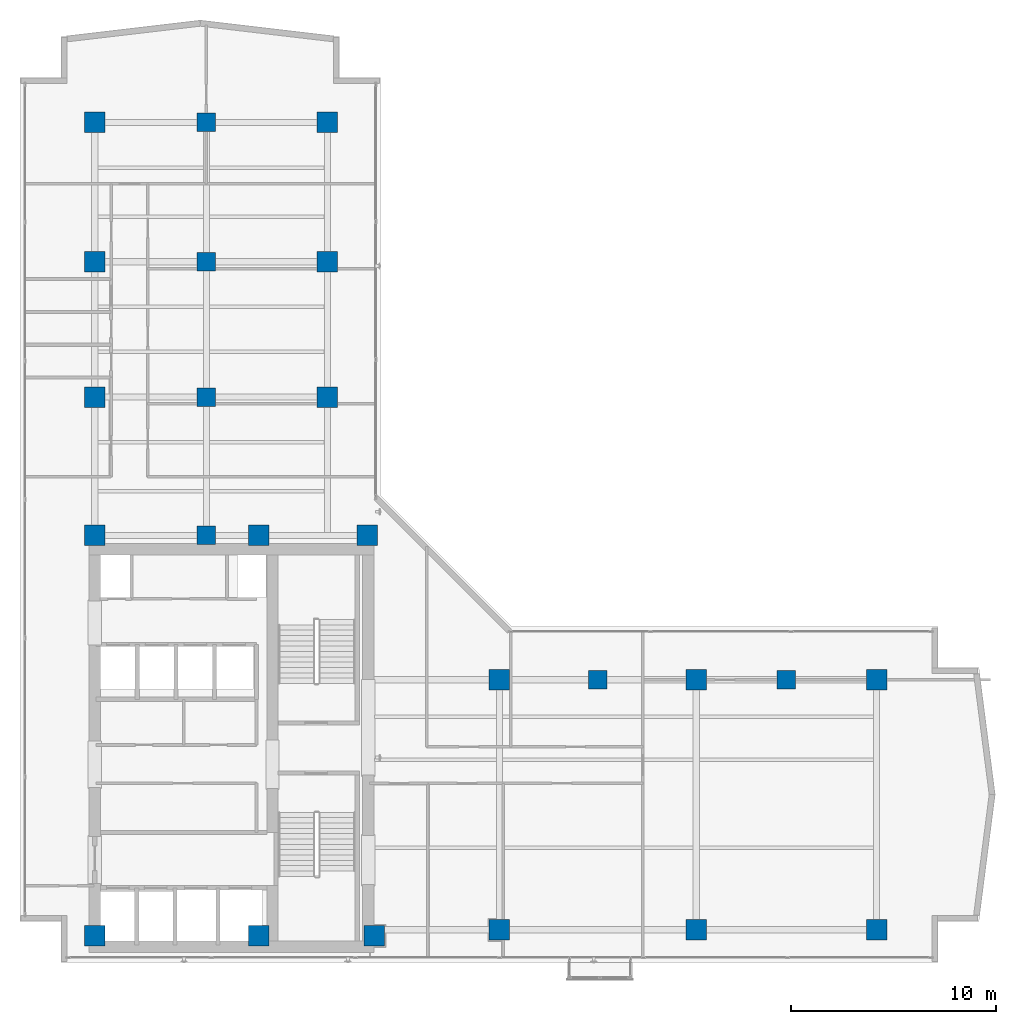
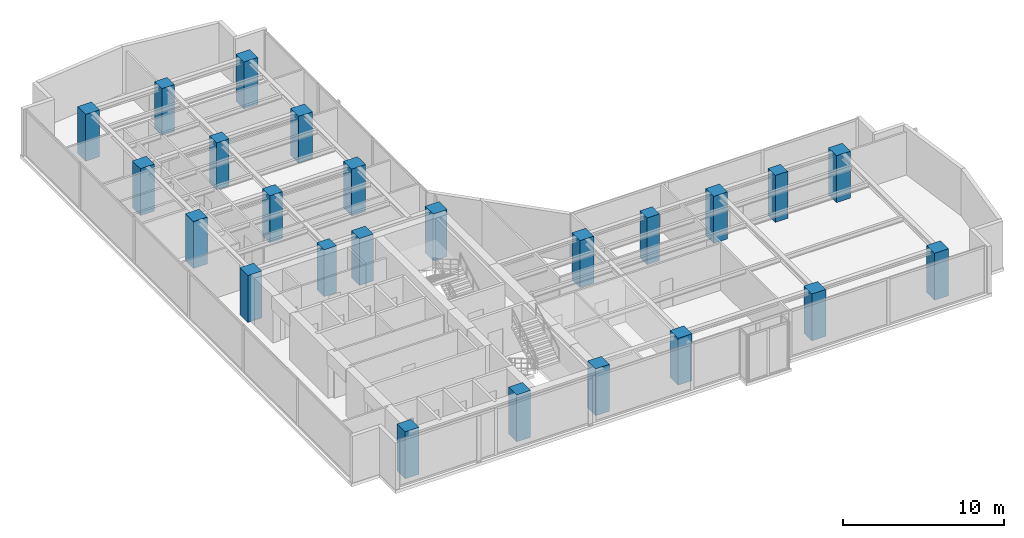
# One storey, part 1 of 23: 24 columns.
"""IFC4 building model written with IfcOpenShell, lengths in metres."""

from ifc_helpers import new_model, si_unit, direction, frame, origin, origin_2d, place, context, subcontext, project, spatial, rectangle, extrude, material, material_profile, profile_set, type_object, element, save


model = new_model("IFC4")

# Units and contexts
model_context = context("Model", 3, precision=1e-05, world=origin(), true_north=direction((0.0, 1.0)))
body_context = subcontext(model_context, "Body", "Model", "MODEL_VIEW")
ifc_project = project(units=[si_unit("LENGTHUNIT", "METRE"), si_unit("AREAUNIT", "SQUARE_METRE"), si_unit("VOLUMEUNIT", "CUBIC_METRE"), si_unit("PLANEANGLEUNIT", "RADIAN"), si_unit("MASSUNIT", "GRAM", prefix="KILO")], contexts=[model_context])

# Site, building, storey
site_placement = place(None, origin())
site = spatial("IfcSite", under=ifc_project, at=site_placement, CompositionType="ELEMENT")
building_placement = place(site_placement, origin())
building = spatial("IfcBuilding", under=site, at=building_placement, Name="Kolvaren Waterfront Exchange", CompositionType="ELEMENT")
storey_placement = place(building_placement, frame((0.0, 0.0, 234.89990234375)))
storey = spatial("IfcBuildingStorey", under=building, at=storey_placement, Name="L60", CompositionType="ELEMENT", Elevation=234.89990234375)

# Columns
ifc_material = material(Name="Concrete C50/60", Category="concrete")
ifc_material_profile_1 = material_profile(ifc_material, rectangle(XDim=1.0, YDim=1.0, at=origin_2d()), Name="RC-COL-1000x1000")
ifc_profile_set_1 = profile_set([ifc_material_profile_1], Name="Concrete C50/60")
column_type_1 = type_object("IfcColumnType", Name="STR-COL-1000-C50", PredefinedType="COLUMN", material=ifc_profile_set_1)
for number, where, z_axis, x_axis, name in (
    (1, (7.449951171875, 4.89990234375, 0.0), (0.0, 0.0, 1.0), (1.0, 0.0, 0.0), "L60 column MC01"),
    (2, (15.449951171875, 4.89990234375, 0.0), (0.0, 0.0, 1.0), (1.0, 0.0, 0.0), "L60 column MC02"),
    (3, (21.10009765625, 4.89990234375, 0.0), (0.0, 0.0, 1.0), (1.0, 0.0, 0.0), "L60 column MC03"),
    (4, (7.449951171875, 24.449951171875, 0.0), (0.0, 0.0, 1.0), (1.0, 0.0, 0.0), "L60 column MC04"),
    (5, (15.449951171875, 24.449951171875, 0.0), (0.0, 0.0, 1.0), (1.0, 0.0, 0.0), "L60 column MC05"),
    (6, (20.75, 24.449951171875, 0.0), (0.0, 0.0, 1.0), (1.0, 0.0, 0.0), "L60 column MC06"),
    (7, (7.449951171875, 31.199951171875, 0.0), (0.0, 0.0, 1.0), (1.0, 0.0, 0.0), "L60 column NC01"),
    (8, (7.449951171875, 37.800048828125, 0.0), (0.0, 0.0, 1.0), (1.0, 0.0, 0.0), "L60 column NC02"),
    (9, (7.449951171875, 44.60009765625, 0.0), (0.0, 0.0, 1.0), (1.0, 0.0, 0.0), "L60 column NC03"),
    (10, (18.800048828125, 31.199951171875, 0.0), (0.0, 0.0, 1.0), (1.0, 0.0, 0.0), "L60 column NC04"),
    (11, (18.800048828125, 37.800048828125, 0.0), (0.0, 0.0, 1.0), (1.0, 0.0, 0.0), "L60 column NC05"),
    (12, (18.800048828125, 44.60009765625, 0.0), (0.0, 0.0, 1.0), (1.0, 0.0, 0.0), "L60 column NC06"),
    (13, (27.199951171875, 5.199951171875, 0.0), (0.0, 0.0, 1.0), (1.0, 0.0, 0.0), "L60 column EC01"),
    (14, (36.800048828125, 5.199951171875, 0.0), (0.0, 0.0, 1.0), (1.0, 0.0, 0.0), "L60 column EC02"),
    (15, (45.60009765625, 5.199951171875, 0.0), (0.0, 0.0, 1.0), (1.0, 0.0, 0.0), "L60 column EC03"),
    (16, (27.199951171875, 17.39990234375, 0.0), (0.0, 0.0, 1.0), (1.0, 0.0, 0.0), "L60 column EC04"),
    (17, (36.800048828125, 17.39990234375, 0.0), (0.0, 0.0, 1.0), (1.0, 0.0, 0.0), "L60 column EC05"),
    (18, (45.60009765625, 17.39990234375, 0.0), (0.0, 0.0, 1.0), (1.0, 0.0, 0.0), "L60 column EC06"),
):
    element("IfcColumn", number, at=place(storey_placement, frame(where, z_axis=z_axis, x_axis=x_axis)), inside=storey, type_object=column_type_1, Name=name, PredefinedType="COLUMN", context=body_context, shape_type="SweptSolid", body=[
        extrude(rectangle(XDim=1.0, YDim=1.0, at=origin_2d()), origin(), (0.0, 0.0, 1.0), 3.56005859375),
    ])
ifc_material_profile_2 = material_profile(ifc_material, rectangle(XDim=0.89990234375, YDim=0.89990234375, at=origin_2d()), Name="RC-COL-900x900")
ifc_profile_set_2 = profile_set([ifc_material_profile_2], Name="Concrete C50/60")
column_type_2 = type_object("IfcColumnType", Name="STR-COL-900-C50", PredefinedType="COLUMN", material=ifc_profile_set_2)
for number, where, z_axis, x_axis, name in (
    (19, (12.89990234375, 24.449951171875, 0.0), (0.0, 0.0, 1.0), (1.0, 0.0, 0.0), "L60 column TC01"),
    (20, (12.89990234375, 31.199951171875, 0.0), (0.0, 0.0, 1.0), (1.0, 0.0, 0.0), "L60 column TC02"),
    (21, (12.89990234375, 37.800048828125, 0.0), (0.0, 0.0, 1.0), (1.0, 0.0, 0.0), "L60 column TC03"),
    (22, (12.89990234375, 44.60009765625, 0.0), (0.0, 0.0, 1.0), (1.0, 0.0, 0.0), "L60 column TC04"),
    (23, (32.0, 17.39990234375, 0.0), (0.0, 0.0, 1.0), (1.0, 0.0, 0.0), "L60 column TC05"),
    (24, (41.199951171875, 17.39990234375, 0.0), (0.0, 0.0, 1.0), (1.0, 0.0, 0.0), "L60 column TC06"),
):
    element("IfcColumn", number, at=place(storey_placement, frame(where, z_axis=z_axis, x_axis=x_axis)), inside=storey, type_object=column_type_2, Name=name, PredefinedType="COLUMN", context=body_context, shape_type="SweptSolid", body=[
        extrude(rectangle(XDim=0.89990234375, YDim=0.89990234375, at=origin_2d()), origin(), (0.0, 0.0, 1.0), 3.56005859375),
    ])

save(model, "model.ifc")
